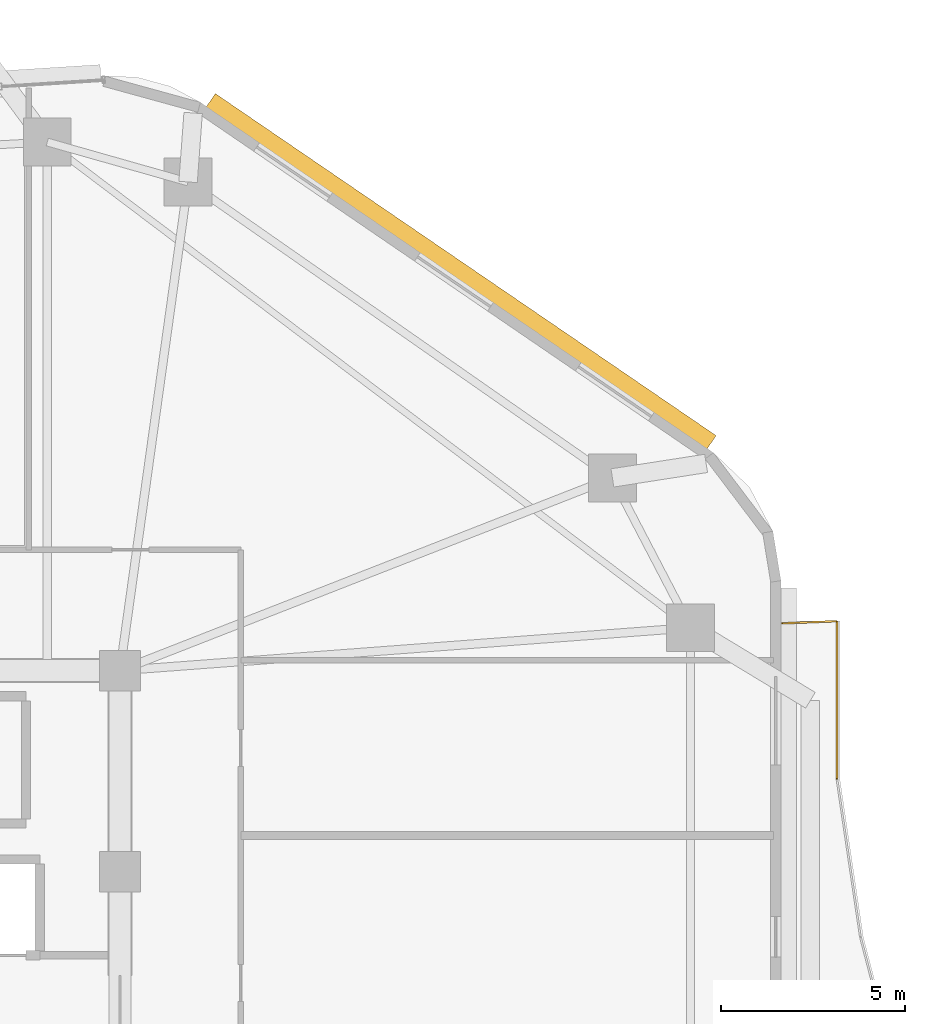
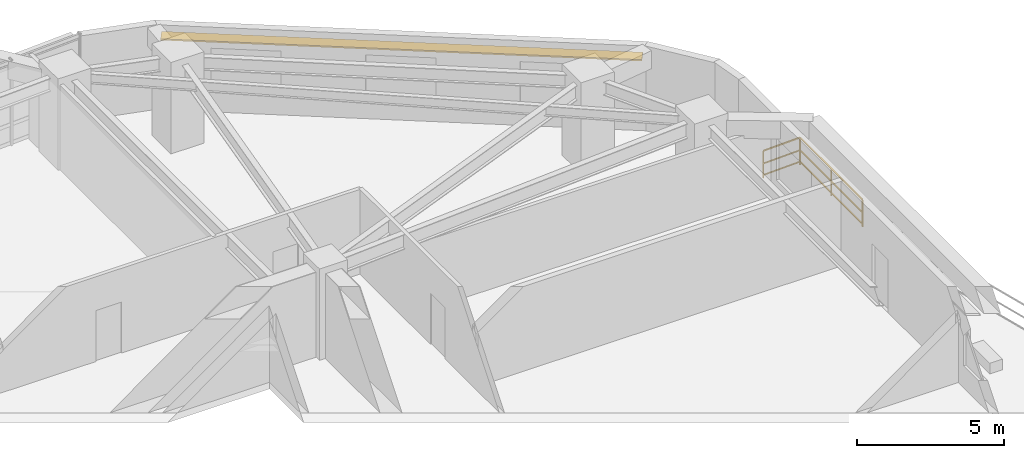
# One storey, part 14 of 14: 2 railings, 1 shading device.
"""IFC4 building model written with IfcOpenShell, lengths in metres."""

from ifc_helpers import new_model, si_unit, direction, frame, origin, origin_2d, place, context, subcontext, project, spatial, rectangle, extrude, material, layer, layer_set, type_object, element, save


model = new_model("IFC4")

# Units and contexts
model_context = context("Model", 3, precision=1e-05, world=origin(), true_north=direction((0.0, 1.0)))
body_context = subcontext(model_context, "Body", "Model", "MODEL_VIEW")
ifc_project = project(units=[si_unit("LENGTHUNIT", "METRE"), si_unit("AREAUNIT", "SQUARE_METRE"), si_unit("VOLUMEUNIT", "CUBIC_METRE"), si_unit("PLANEANGLEUNIT", "RADIAN"), si_unit("MASSUNIT", "GRAM", prefix="KILO")], contexts=[model_context])

# Site, building, storey
site_placement = place(None, origin())
site = spatial("IfcSite", under=ifc_project, at=site_placement, CompositionType="ELEMENT")
building_placement = place(site_placement, origin())
building = spatial("IfcBuilding", under=site, at=building_placement, Name="Zulverin Broadcast Headquarters", CompositionType="ELEMENT")
storey_placement = place(building_placement, frame((0.0, 0.0, 55.39990234375)))
storey = spatial("IfcBuildingStorey", under=building, at=storey_placement, Name="L13", CompositionType="ELEMENT", Elevation=55.39990234375)

# Railings
ifc_material_1 = material(Name="Brushed stainless steel & laminated glass balustrade", Category="steel")
railing_type = type_object("IfcRailingType", Name="RL-GUARD-1150", PredefinedType="GUARDRAIL", material=ifc_material_1)
railing_1_placement = place(storey_placement, frame((67.719970703125, 30.146728515625, 0.0)))
element("IfcRailing", 1, at=railing_1_placement, inside=storey, type_object=railing_type, Name="L13 Vertical-Forest Balcony Guardrail BAL_E Segment 05", PredefinedType="GUARDRAIL", context=body_context, shape_type="SweptSolid", body=[
    extrude(rectangle(XDim=0.048095703125, YDim=0.048095703125, at=origin_2d()), frame((0.0, 0.0, 1.1259765625), z_axis=(0.0, 1.0, 0.0), x_axis=(-1.0, 0.0, 0.0)), (0.0, 0.0, 1.0), 4.252685546875),
    extrude(rectangle(XDim=0.0419921875, YDim=0.0419921875, at=origin_2d()), frame((0.0, 0.0, 0.597900390625), z_axis=(0.0, 1.0, 0.0), x_axis=(-1.0, 0.0, 0.0)), (0.0, 0.0, 1.0), 4.252685546875),
    extrude(rectangle(XDim=0.0419921875, YDim=0.0419921875, at=origin_2d()), frame((0.0, 0.0, 0.1201171875), z_axis=(0.0, 1.0, 0.0), x_axis=(-1.0, 0.0, 0.0)), (0.0, 0.0, 1.0), 4.252685546875),
    extrude(rectangle(XDim=0.0419921875, YDim=0.0419921875, at=origin_2d()), origin(), (0.0, 0.0, 1.0), 1.101806640625),
    extrude(rectangle(XDim=0.0419921875, YDim=0.0419921875, at=origin_2d()), frame((0.0, 2.12646484375, 0.0)), (0.0, 0.0, 1.0), 1.101806640625),
    extrude(rectangle(XDim=0.0419921875, YDim=0.0419921875, at=origin_2d()), frame((0.0, 4.252685546875, 0.0)), (0.0, 0.0, 1.0), 1.101806640625),
])
railing_2_placement = place(storey_placement, frame((67.705078125, 34.413818359375, 0.0)))
element("IfcRailing", 2, at=railing_2_placement, inside=storey, type_object=railing_type, Name="L13 Vertical-Forest Balcony Guardrail BAL_E Segment 06", PredefinedType="GUARDRAIL", context=body_context, shape_type="SweptSolid", body=[
    extrude(rectangle(XDim=0.048095703125, YDim=0.048095703125, at=origin_2d()), frame((0.0, 0.0, 1.1259765625), z_axis=(-0.999181155166, -0.040460093435, 0.0), x_axis=(0.040460093435, -0.999181155166, 0.0)), (0.0, 0.0, 1.0), 1.46630859375),
    extrude(rectangle(XDim=0.0419921875, YDim=0.0419921875, at=origin_2d()), frame((0.0, 0.0, 0.597900390625), z_axis=(-0.999181155166, -0.040460093435, 0.0), x_axis=(0.040460093435, -0.999181155166, 0.0)), (0.0, 0.0, 1.0), 1.46630859375),
    extrude(rectangle(XDim=0.0419921875, YDim=0.0419921875, at=origin_2d()), frame((0.0, 0.0, 0.1201171875), z_axis=(-0.999181155166, -0.040460093435, 0.0), x_axis=(0.040460093435, -0.999181155166, 0.0)), (0.0, 0.0, 1.0), 1.46630859375),
    extrude(rectangle(XDim=0.0419921875, YDim=0.0419921875, at=origin_2d()), origin(), (0.0, 0.0, 1.0), 1.101806640625),
    extrude(rectangle(XDim=0.0419921875, YDim=0.0419921875, at=origin_2d()), frame((-1.465087890625, -0.059326171875, 0.0)), (0.0, 0.0, 1.0), 1.101806640625),
])

# Shading device
ifc_material_2 = material(Name="Anodized pale-metal aluminium sunshade", Category="aluminium")
ifc_layer = layer(ifc_material_2, 0.06005859375, Name="Anodized pale-metal aluminium sunshade", Category="aluminium")
ifc_layer_set = layer_set([ifc_layer], Name="Anodized pale-metal aluminium sunshade")
shading_device_type = type_object("IfcShadingDeviceType", Name="SS-01_PALE_METAL_ALUMINIUM_SUNSHADE", PredefinedType="USERDEFINED", material=ifc_layer_set)
shading_device_placement = place(storey_placement, frame((57.525390625, 43.8994140625, 2.7099609375), z_axis=(0.0, 0.0, 1.0), x_axis=(-0.825756855157, 0.564026254851, 0.0)))
element("IfcShadingDevice", 3, at=shading_device_placement, inside=storey, type_object=shading_device_type, Name="L13 Horizontal Pale-Metal Sunshade Band 4", ObjectType="SUNSHADE", PredefinedType="USERDEFINED", context=body_context, shape_type="SweptSolid", body=[
    extrude(rectangle(XDim=16.4482421875, YDim=0.449951171875, at=origin_2d()), origin(), (0.0, 0.0, 1.0), 0.06005859375),
])

save(model, "model.ifc")
